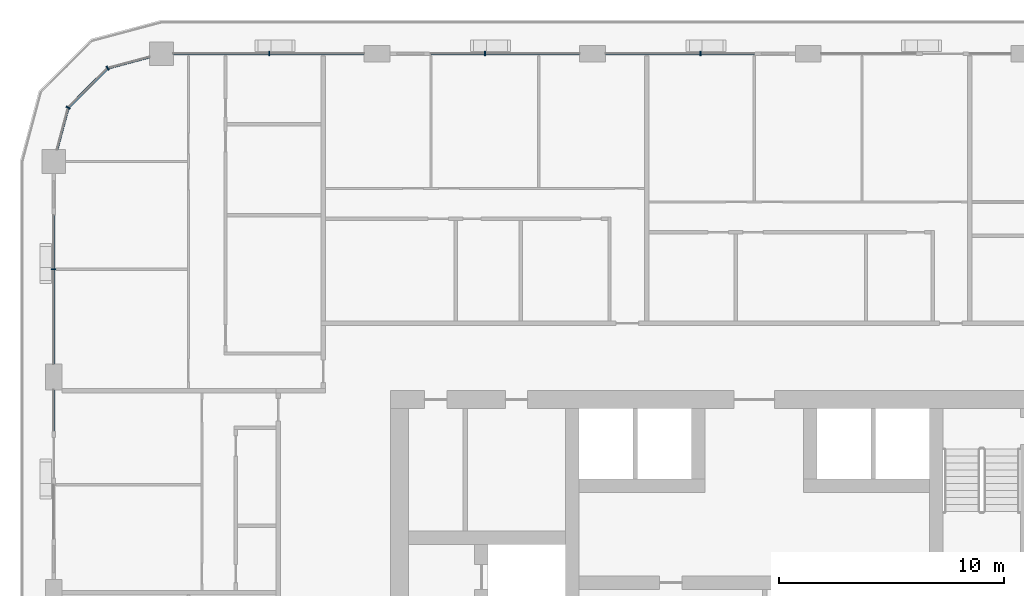
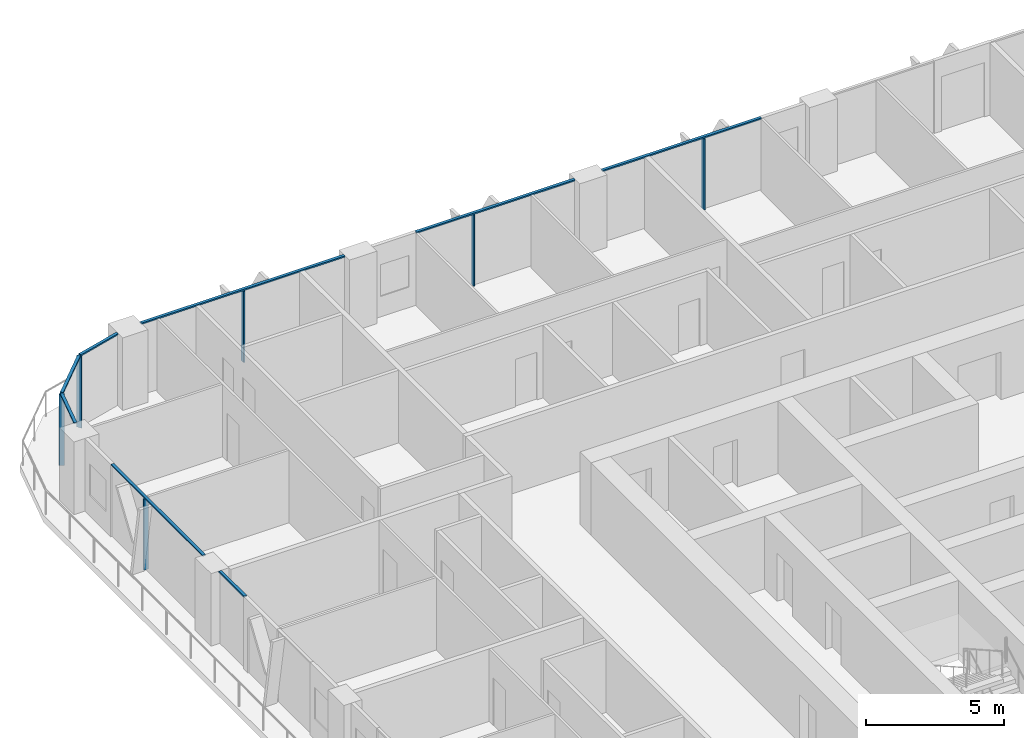
# One storey, part 5 of 22: 14 members, 6 elements without a shape of their own.
"""IFC4 building model written with IfcOpenShell, lengths in metres."""

from ifc_helpers import new_model, si_unit, direction, frame, origin, origin_2d, place, context, subcontext, project, spatial, rectangle, extrude, material, layer, layer_set, material_profile, profile_set, type_object, element, aggregate, save


model = new_model("IFC4")

# Units and contexts
model_context = context("Model", 3, precision=1e-05, world=origin(), true_north=direction((0.0, 1.0)))
body_context = subcontext(model_context, "Body", "Model", "MODEL_VIEW")
ifc_project = project(units=[si_unit("LENGTHUNIT", "METRE"), si_unit("AREAUNIT", "SQUARE_METRE"), si_unit("VOLUMEUNIT", "CUBIC_METRE"), si_unit("PLANEANGLEUNIT", "RADIAN"), si_unit("MASSUNIT", "GRAM", prefix="KILO")], contexts=[model_context])

# Site, building, storey
site_placement = place(None, origin())
site = spatial("IfcSite", under=ifc_project, at=site_placement, CompositionType="ELEMENT")
building_placement = place(site_placement, origin())
building = spatial("IfcBuilding", under=site, at=building_placement, Name="Madar Terraces", CompositionType="ELEMENT")
storey_placement = place(building_placement, frame((0.0, 0.0, 119.10009765625)))
storey = spatial("IfcBuildingStorey", under=building, at=storey_placement, Name="L30", CompositionType="ELEMENT", Elevation=119.10009765625)

# Curtain wall, member
ifc_material_1 = material(Name="Glass, ceramic frit dark grey, with black aluminium frame", Category="aluminium")
ifc_layer = layer(ifc_material_1, 0.199951171875)
ifc_layer_set = layer_set([ifc_layer], Name="Facade curtain wall, fritted glass")
curtain_wall_type = type_object("IfcCurtainWallType", Name="Facade curtain wall, fritted glass", PredefinedType="NOTDEFINED", material=ifc_layer_set)
curtain_wall_1_placement = place(storey_placement, origin())
curtain_wall_1 = element("IfcCurtainWall", 1, at=curtain_wall_1_placement, inside=storey, type_object=curtain_wall_type, Name="Outer skin curtain wall north bay 3", PredefinedType="NOTDEFINED")
ifc_material_2 = material(Name="Aluminium, black anodised", Category="aluminium")
ifc_material_profile_1 = material_profile(ifc_material_2, rectangle(XDim=0.199951171875, YDim=0.06005859375, at=origin_2d()), Name="Facade mullion 60x200")
ifc_profile_set_1 = profile_set([ifc_material_profile_1], Name="Aluminium, black anodised")
member_type_1 = type_object("IfcMemberType", Name="Facade mullion 60x200", PredefinedType="MULLION", material=ifc_profile_set_1)
member_1_placement = place(storey_placement, frame((28.800048828125, 52.800048828125, 0.0), z_axis=(0.0, 0.0, 1.0), x_axis=(0.0, -1.0, 0.0)))
member_1 = element("IfcMember", 2, at=member_1_placement, type_object=member_type_1, Name="Mullion 1", PredefinedType="MULLION", context=body_context, shape_type="SweptSolid", body=[
    extrude(rectangle(XDim=0.199951171875, YDim=0.06005859375, at=origin_2d()), origin(), (0.0, 0.0, 1.0), 3.139892578125),
])

curtain_wall_2_placement = place(storey_placement, origin())
curtain_wall_2 = element("IfcCurtainWall", 3, at=curtain_wall_2_placement, inside=storey, type_object=curtain_wall_type, Name="Outer skin curtain wall north bay 4", PredefinedType="NOTDEFINED")
member_2_placement = place(storey_placement, frame((19.199951171875, 52.800048828125, 0.0), z_axis=(0.0, 0.0, 1.0), x_axis=(0.0, -1.0, 0.0)))
member_2 = element("IfcMember", 4, at=member_2_placement, type_object=member_type_1, Name="Mullion 1", PredefinedType="MULLION", context=body_context, shape_type="SweptSolid", body=[
    extrude(rectangle(XDim=0.199951171875, YDim=0.06005859375, at=origin_2d()), origin(), (0.0, 0.0, 1.0), 3.139892578125),
])

curtain_wall_3_placement = place(storey_placement, origin())
curtain_wall_3 = element("IfcCurtainWall", 5, at=curtain_wall_3_placement, inside=storey, type_object=curtain_wall_type, Name="Outer skin curtain wall north bay 5", PredefinedType="NOTDEFINED")
member_3_placement = place(storey_placement, frame((9.60009765625, 52.800048828125, 0.0), z_axis=(0.0, 0.0, 1.0), x_axis=(0.0, -1.0, 0.0)))
member_3 = element("IfcMember", 6, at=member_3_placement, type_object=member_type_1, Name="Mullion 1", PredefinedType="MULLION", context=body_context, shape_type="SweptSolid", body=[
    extrude(rectangle(XDim=0.199951171875, YDim=0.06005859375, at=origin_2d()), origin(), (0.0, 0.0, 1.0), 3.139892578125),
])

curtain_wall_4_placement = place(storey_placement, origin())
curtain_wall_4 = element("IfcCurtainWall", 7, at=curtain_wall_4_placement, inside=storey, type_object=curtain_wall_type, Name="Outer skin curtain wall west bay 1", PredefinedType="NOTDEFINED")
member_4_placement = place(storey_placement, frame((0.0, 43.199951171875, 0.0), z_axis=(0.0, 0.0, 1.0), x_axis=(1.0, 0.0, 0.0)))
member_4 = element("IfcMember", 8, at=member_4_placement, type_object=member_type_1, Name="Mullion 1", PredefinedType="MULLION", context=body_context, shape_type="SweptSolid", body=[
    extrude(rectangle(XDim=0.199951171875, YDim=0.06005859375, at=origin_2d()), origin(), (0.0, 0.0, 1.0), 3.139892578125),
])

# Curtain wall, members
curtain_wall_5_placement = place(storey_placement, origin())
curtain_wall_5 = element("IfcCurtainWall", 9, at=curtain_wall_5_placement, inside=storey, type_object=curtain_wall_type, Name="Outer skin curtain wall north-west corner", PredefinedType="NOTDEFINED")
member_5_placement = place(storey_placement, frame((2.39990234375, 52.156982421875, 0.0), z_axis=(0.0, 0.0, 1.0), x_axis=(0.499999989586, -0.866025409797, 0.0)))
member_5 = element("IfcMember", 10, at=member_5_placement, type_object=member_type_1, Name="Mullion 1", PredefinedType="MULLION", context=body_context, shape_type="SweptSolid", body=[
    extrude(rectangle(XDim=0.199951171875, YDim=0.06005859375, at=origin_2d()), origin(), (0.0, 0.0, 1.0), 3.139892578125),
])
member_6_placement = place(storey_placement, frame((0.64306640625, 50.39990234375, 0.0), z_axis=(0.0, 0.0, 1.0), x_axis=(0.866025409797, -0.499999989586, 0.0)))
member_6 = element("IfcMember", 11, at=member_6_placement, type_object=member_type_1, Name="Mullion 2", PredefinedType="MULLION", context=body_context, shape_type="SweptSolid", body=[
    extrude(rectangle(XDim=0.199951171875, YDim=0.06005859375, at=origin_2d()), origin(), (0.0, 0.0, 1.0), 3.139892578125),
])

# Member
ifc_material_3 = material(Name="Aluminium, black anodised", Category="aluminium")
ifc_material_profile_2 = material_profile(ifc_material_3, rectangle(XDim=0.1201171875, YDim=0.06005859375, at=origin_2d()), Name="Facade transom 60x120")
ifc_profile_set_2 = profile_set([ifc_material_profile_2], Name="Aluminium, black anodised")
member_type_2 = type_object("IfcMemberType", Name="Facade transom 60x120", PredefinedType="USERDEFINED", material=ifc_profile_set_2)
member_7_placement = place(storey_placement, frame((31.199951171875, 52.800048828125, 3.169921875), z_axis=(-1.0, 0.0, 0.0), x_axis=(0.0, -1.0, 0.0)))
member_7 = element("IfcMember", 12, at=member_7_placement, type_object=member_type_2, Name="Transom 1", ObjectType="TRANSOM", PredefinedType="USERDEFINED", context=body_context, shape_type="SweptSolid", body=[
    extrude(rectangle(XDim=0.1201171875, YDim=0.06005859375, at=origin_2d()), origin(), (0.0, 0.0, 1.0), 6.625),
])

aggregate(curtain_wall_1, [member_1, member_7])

member_8_placement = place(storey_placement, frame((23.425048828125, 52.800048828125, 3.169921875), z_axis=(-1.0, 0.0, 0.0), x_axis=(0.0, -1.0, 0.0)))
member_8 = element("IfcMember", 13, at=member_8_placement, type_object=member_type_2, Name="Transom 1", ObjectType="TRANSOM", PredefinedType="USERDEFINED", context=body_context, shape_type="SweptSolid", body=[
    extrude(rectangle(XDim=0.1201171875, YDim=0.06005859375, at=origin_2d()), origin(), (0.0, 0.0, 1.0), 6.625),
])

aggregate(curtain_wall_2, [member_2, member_8])

member_9_placement = place(storey_placement, frame((13.824951171875, 52.800048828125, 3.169921875), z_axis=(-1.0, 0.0, 0.0), x_axis=(0.0, -1.0, 0.0)))
member_9 = element("IfcMember", 14, at=member_9_placement, type_object=member_type_2, Name="Transom 1", ObjectType="TRANSOM", PredefinedType="USERDEFINED", context=body_context, shape_type="SweptSolid", body=[
    extrude(rectangle(XDim=0.1201171875, YDim=0.06005859375, at=origin_2d()), origin(), (0.0, 0.0, 1.0), 8.5),
])

aggregate(curtain_wall_3, [member_3, member_9])

member_10_placement = place(storey_placement, frame((0.0, 45.60009765625, 3.169921875), z_axis=(0.0, -1.0, 0.0), x_axis=(1.0, 0.0, 0.0)))
member_10 = element("IfcMember", 15, at=member_10_placement, type_object=member_type_2, Name="Transom 1", ObjectType="TRANSOM", PredefinedType="USERDEFINED", context=body_context, shape_type="SweptSolid", body=[
    extrude(rectangle(XDim=0.1201171875, YDim=0.06005859375, at=origin_2d()), origin(), (0.0, 0.0, 1.0), 6.625),
])

aggregate(curtain_wall_4, [member_4, member_10])

# Curtain wall, member
curtain_wall_6_placement = place(storey_placement, origin())
curtain_wall_6 = element("IfcCurtainWall", 16, at=curtain_wall_6_placement, inside=storey, type_object=curtain_wall_type, Name="Outer skin curtain wall west bay 2", PredefinedType="NOTDEFINED")
member_11_placement = place(storey_placement, frame((0.0, 37.824951171875, 3.169921875), z_axis=(0.0, -1.0, 0.0), x_axis=(1.0, 0.0, 0.0)))
member_11 = element("IfcMember", 17, at=member_11_placement, type_object=member_type_2, Name="Transom 1", ObjectType="TRANSOM", PredefinedType="USERDEFINED", context=body_context, shape_type="SweptSolid", body=[
    extrude(rectangle(XDim=0.1201171875, YDim=0.06005859375, at=origin_2d()), origin(), (0.0, 0.0, 1.0), 1.824951171875),
])
aggregate(curtain_wall_6, [member_11])

# Member
member_12_placement = place(storey_placement, frame((4.27490234375, 52.659423828125, 3.169921875), z_axis=(-0.965924671538, -0.258823354654, 0.0), x_axis=(0.258823354654, -0.965924671538, 0.0)))
member_12 = element("IfcMember", 18, at=member_12_placement, type_object=member_type_2, Name="Transom 1", ObjectType="TRANSOM", PredefinedType="USERDEFINED", context=body_context, shape_type="SweptSolid", body=[
    extrude(rectangle(XDim=0.1201171875, YDim=0.06005859375, at=origin_2d()), origin(), (0.0, 0.0, 1.0), 1.9111328125),
])

member_13_placement = place(storey_placement, frame((2.37890625, 52.1357421875, 3.169921875), z_axis=(-0.707106781187, -0.707106781187, 0.0), x_axis=(0.707106781187, -0.707106781187, 0.0)))
member_13 = element("IfcMember", 19, at=member_13_placement, type_object=member_type_2, Name="Transom 2", ObjectType="TRANSOM", PredefinedType="USERDEFINED", context=body_context, shape_type="SweptSolid", body=[
    extrude(rectangle(XDim=0.1201171875, YDim=0.06005859375, at=origin_2d()), origin(), (0.0, 0.0, 1.0), 2.4248046875),
])

member_14_placement = place(storey_placement, frame((0.63525390625, 50.37109375, 3.169921875), z_axis=(-0.25879142023, -0.965933227928, 0.0), x_axis=(0.965933227928, -0.25879142023, 0.0)))
member_14 = element("IfcMember", 20, at=member_14_placement, type_object=member_type_2, Name="Transom 3", ObjectType="TRANSOM", PredefinedType="USERDEFINED", context=body_context, shape_type="SweptSolid", body=[
    extrude(rectangle(XDim=0.1201171875, YDim=0.06005859375, at=origin_2d()), origin(), (0.0, 0.0, 1.0), 1.911376953125),
])

aggregate(curtain_wall_5, [member_5, member_12, member_6, member_13, member_14])

save(model, "model.ifc")
